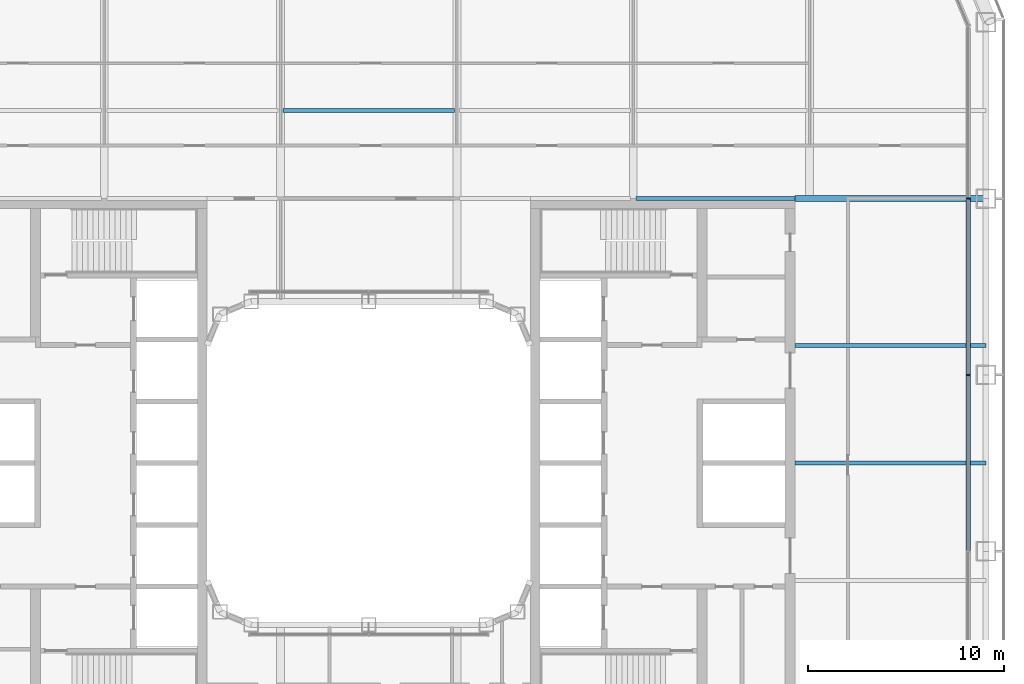
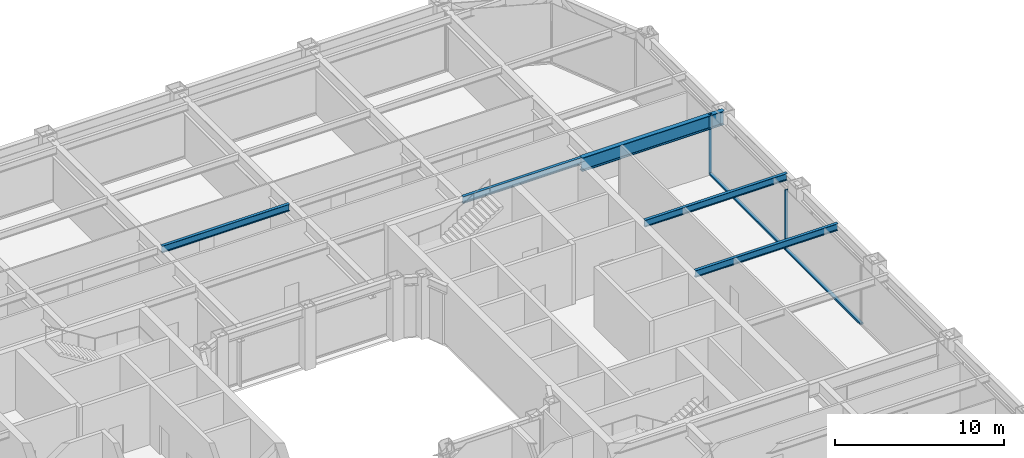
# One storey, part 9 of 27: 5 beams, 4 members, 1 element without a shape of its own.
"""IFC4 building model written with IfcOpenShell, lengths in metres."""

from ifc_helpers import new_model, si_unit, direction, frame, origin, origin_2d, place, context, subcontext, project, spatial, rectangle, i_section, extrude, material, layer, layer_set, material_profile, profile_set, type_object, element, aggregate, save


model = new_model("IFC4")

# Units and contexts
model_context = context("Model", 3, precision=1e-05, world=origin(), true_north=direction((0.0, 1.0)))
body_context = subcontext(model_context, "Body", "Model", "MODEL_VIEW")
ifc_project = project(units=[si_unit("LENGTHUNIT", "METRE"), si_unit("AREAUNIT", "SQUARE_METRE"), si_unit("VOLUMEUNIT", "CUBIC_METRE"), si_unit("PLANEANGLEUNIT", "RADIAN"), si_unit("MASSUNIT", "GRAM", prefix="KILO")], contexts=[model_context])

# Site, building, storey
site_placement = place(None, origin())
site = spatial("IfcSite", under=ifc_project, at=site_placement, CompositionType="ELEMENT")
building_placement = place(site_placement, origin())
building = spatial("IfcBuilding", under=site, at=building_placement, Name="Siwar Civic Tower", CompositionType="ELEMENT")
storey_placement = place(building_placement, frame((0.0, 0.0, 71.699951171875)))
storey = spatial("IfcBuildingStorey", under=building, at=storey_placement, Name="L15", CompositionType="ELEMENT", Elevation=71.699951171875)

# Curtain wall, members
ifc_material_1 = material(Name="Aluminium and glass", Category="aluminium")
ifc_layer = layer(ifc_material_1, 0.219970703125)
ifc_layer_set = layer_set([ifc_layer], Name="Aluminium and glass")
curtain_wall_type = type_object("IfcCurtainWallType", Name="ENV-CW-A", PredefinedType="NOTDEFINED", material=ifc_layer_set)
curtain_wall_placement = place(storey_placement, origin())
curtain_wall = element("IfcCurtainWall", 1, at=curtain_wall_placement, inside=storey, type_object=curtain_wall_type, Name="Curtain wall A E", PredefinedType="NOTDEFINED")
ifc_material_2 = material(Name="Aluminium 6063-T6", Category="aluminium")
ifc_material_profile_1 = material_profile(ifc_material_2, rectangle(XDim=0.219970703125, YDim=0.070068359375, at=origin_2d()), Name="AL 220x70")
ifc_profile_set_1 = profile_set([ifc_material_profile_1], Name="Aluminium 6063-T6")
member_type_1 = type_object("IfcMemberType", Name="ENV-MULLION-A", PredefinedType="MULLION", material=ifc_profile_set_1)
member_1_placement = place(storey_placement, frame((30.60009765625, 4.5, 0.0), z_axis=(0.0, 0.0, 1.0), x_axis=(-1.0, 0.0, 0.0)))
member_1 = element("IfcMember", 2, at=member_1_placement, type_object=member_type_1, Name="Mullion A E 4", PredefinedType="MULLION", context=body_context, shape_type="SweptSolid", body=[
    extrude(rectangle(XDim=0.219970703125, YDim=0.070068359375, at=origin_2d()), origin(), (0.0, 0.0, 1.0), 4.35009765625),
])
member_2_placement = place(storey_placement, frame((30.60009765625, 13.5, 0.0), z_axis=(0.0, 0.0, 1.0), x_axis=(-1.0, 0.0, 0.0)))
member_2 = element("IfcMember", 3, at=member_2_placement, type_object=member_type_1, Name="Mullion A E 5", PredefinedType="MULLION", context=body_context, shape_type="SweptSolid", body=[
    extrude(rectangle(XDim=0.219970703125, YDim=0.070068359375, at=origin_2d()), origin(), (0.0, 0.0, 1.0), 4.35009765625),
])
ifc_material_3 = material(Name="Aluminium 6063-T6", Category="aluminium")
ifc_material_profile_2 = material_profile(ifc_material_3, rectangle(XDim=0.219970703125, YDim=0.1201171875, at=origin_2d()), Name="AL 220x120")
ifc_profile_set_2 = profile_set([ifc_material_profile_2], Name="Aluminium 6063-T6")
member_type_2 = type_object("IfcMemberType", Name="ENV-TRANSOM-A", PredefinedType="USERDEFINED", material=ifc_profile_set_2)
member_3_placement = place(storey_placement, frame((30.60009765625, -4.465087890625, 0.06005859375), z_axis=(0.0, 1.0, 0.0), x_axis=(-1.0, 0.0, 0.0)))
member_3 = element("IfcMember", 4, at=member_3_placement, type_object=member_type_2, Name="Transom A E 3", ObjectType="TRANSOM", PredefinedType="USERDEFINED", context=body_context, shape_type="SweptSolid", body=[
    extrude(rectangle(XDim=0.219970703125, YDim=0.1201171875, at=origin_2d()), origin(), (0.0, 0.0, 1.0), 8.93017578125),
])
member_4_placement = place(storey_placement, frame((30.60009765625, 4.534912109375, 0.06005859375), z_axis=(0.0, 1.0, 0.0), x_axis=(-1.0, 0.0, 0.0)))
member_4 = element("IfcMember", 5, at=member_4_placement, type_object=member_type_2, Name="Transom A E 4", ObjectType="TRANSOM", PredefinedType="USERDEFINED", context=body_context, shape_type="SweptSolid", body=[
    extrude(rectangle(XDim=0.219970703125, YDim=0.1201171875, at=origin_2d()), origin(), (0.0, 0.0, 1.0), 8.93017578125),
])
aggregate(curtain_wall, [member_1, member_2, member_3, member_4])

# Beams
ifc_material_4 = material(Name="Steel S355", Category="steel")
ifc_material_profile_3 = material_profile(ifc_material_4, i_section(OverallWidth=0.199951171875, OverallDepth=0.5, WebThickness=0.01025390625, FlangeThickness=0.01611328125, FilletRadius=0.02099609375, at=origin_2d()), Name="IPE500")
ifc_profile_set_3 = profile_set([ifc_material_profile_3], Name="Steel S355")
beam_type_1 = type_object("IfcBeamType", Name="STR-FB-IPE500", PredefinedType="JOIST", material=ifc_profile_set_3)
for number, where, z_axis, x_axis, name in (
    (6, (21.75, 0.0, 4.10009765625), (1.0, 0.0, 0.0), (0.0, 1.0, 0.0), "L15/bm/F034"),
    (7, (21.75, 6.0, 4.10009765625), (1.0, 0.0, 0.0), (0.0, 1.0, 0.0), "L15/bm/F036"),
):
    element("IfcBeam", number, at=place(storey_placement, frame(where, z_axis=z_axis, x_axis=x_axis)), inside=storey, type_object=beam_type_1, Name=name, PredefinedType="JOIST", context=body_context, shape_type="SweptSolid", body=[
        extrude(i_section(OverallWidth=0.199951171875, OverallDepth=0.5, WebThickness=0.01025390625, FlangeThickness=0.01611328125, FilletRadius=0.02099609375, at=origin_2d()), origin(), (0.0, 0.0, 1.0), 9.75),
    ])
beam_1_placement = place(storey_placement, frame((13.6298828125, 13.5, 4.10009765625), z_axis=(1.0, 0.0, 0.0), x_axis=(0.0, 1.0, 0.0)))
element("IfcBeam", 8, at=beam_1_placement, inside=storey, type_object=beam_type_1, Name="L15/bm/F044", PredefinedType="JOIST", context=body_context, shape_type="SweptSolid", body=[
    extrude(i_section(OverallWidth=0.199951171875, OverallDepth=0.5, WebThickness=0.01025390625, FlangeThickness=0.01611328125, FilletRadius=0.02099609375, at=origin_2d()), origin(), (0.0, 0.0, 1.0), 8.1201171875),
])
beam_2_placement = place(storey_placement, frame((-4.3701171875, 18.0, 4.10009765625), z_axis=(1.0, 0.0, 0.0), x_axis=(0.0, 1.0, 0.0)))
element("IfcBeam", 9, at=beam_2_placement, inside=storey, type_object=beam_type_1, Name="L15/bm/F049", PredefinedType="JOIST", context=body_context, shape_type="SweptSolid", body=[
    extrude(i_section(OverallWidth=0.199951171875, OverallDepth=0.5, WebThickness=0.01025390625, FlangeThickness=0.01611328125, FilletRadius=0.02099609375, at=origin_2d()), origin(), (0.0, 0.0, 1.0), 8.740234375),
])
ifc_material_5 = material(Name="Steel S355", Category="steel")
ifc_material_profile_4 = material_profile(ifc_material_5, i_section(OverallWidth=0.300048828125, OverallDepth=1.0, WebThickness=0.01904296875, FlangeThickness=0.035888671875, FilletRadius=0.030029296875, at=origin_2d()), Name="HEB1000")
ifc_profile_set_4 = profile_set([ifc_material_profile_4], Name="Steel S355")
beam_type_2 = type_object("IfcBeamType", Name="STR-PG-HEB1000", PredefinedType="BEAM", material=ifc_profile_set_4)
beam_3_placement = place(storey_placement, frame((21.75, 13.5, 3.85009765625), z_axis=(1.0, 0.0, 0.0), x_axis=(0.0, 1.0, 0.0)))
element("IfcBeam", 10, at=beam_3_placement, inside=storey, type_object=beam_type_2, Name="L15/bm/F045", PredefinedType="BEAM", context=body_context, shape_type="SweptSolid", body=[
    extrude(i_section(OverallWidth=0.300048828125, OverallDepth=1.0, WebThickness=0.01904296875, FlangeThickness=0.035888671875, FilletRadius=0.030029296875, at=origin_2d()), origin(), (0.0, 0.0, 1.0), 9.75),
])

save(model, "model.ifc")
